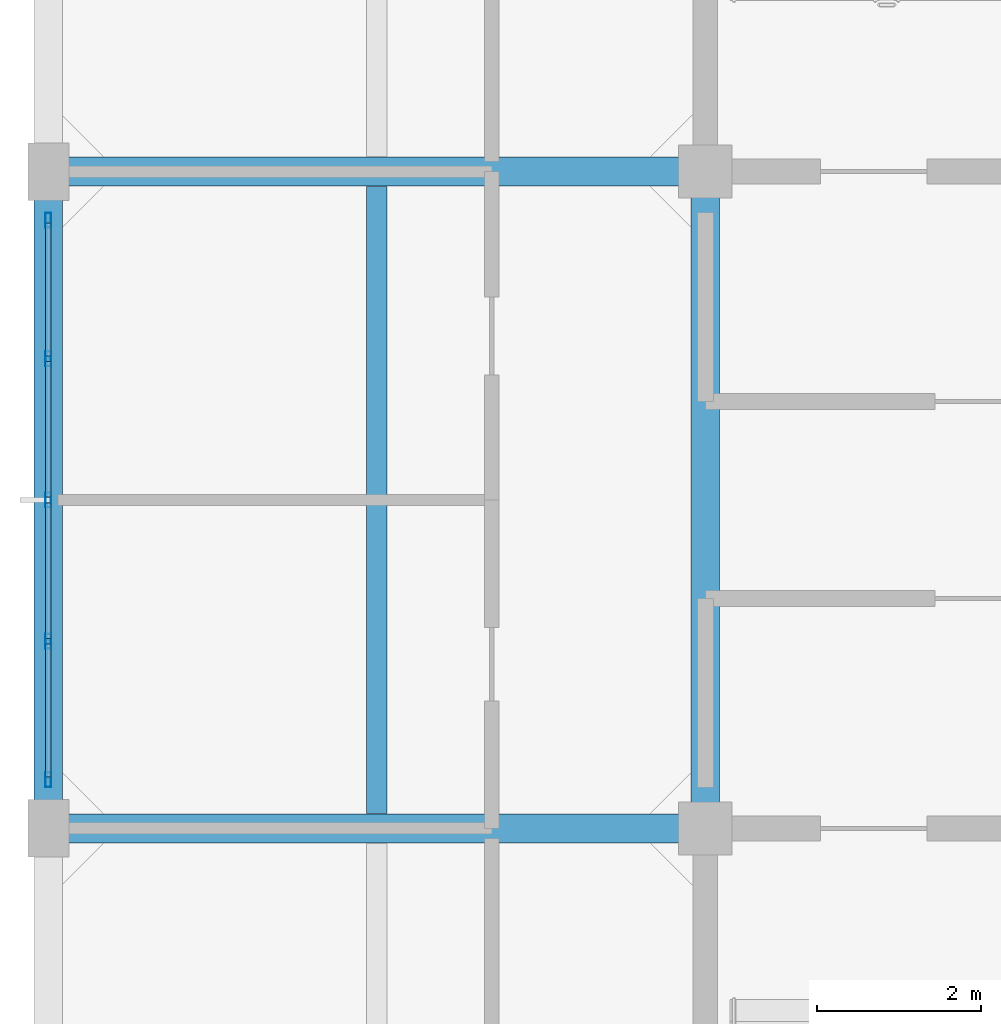
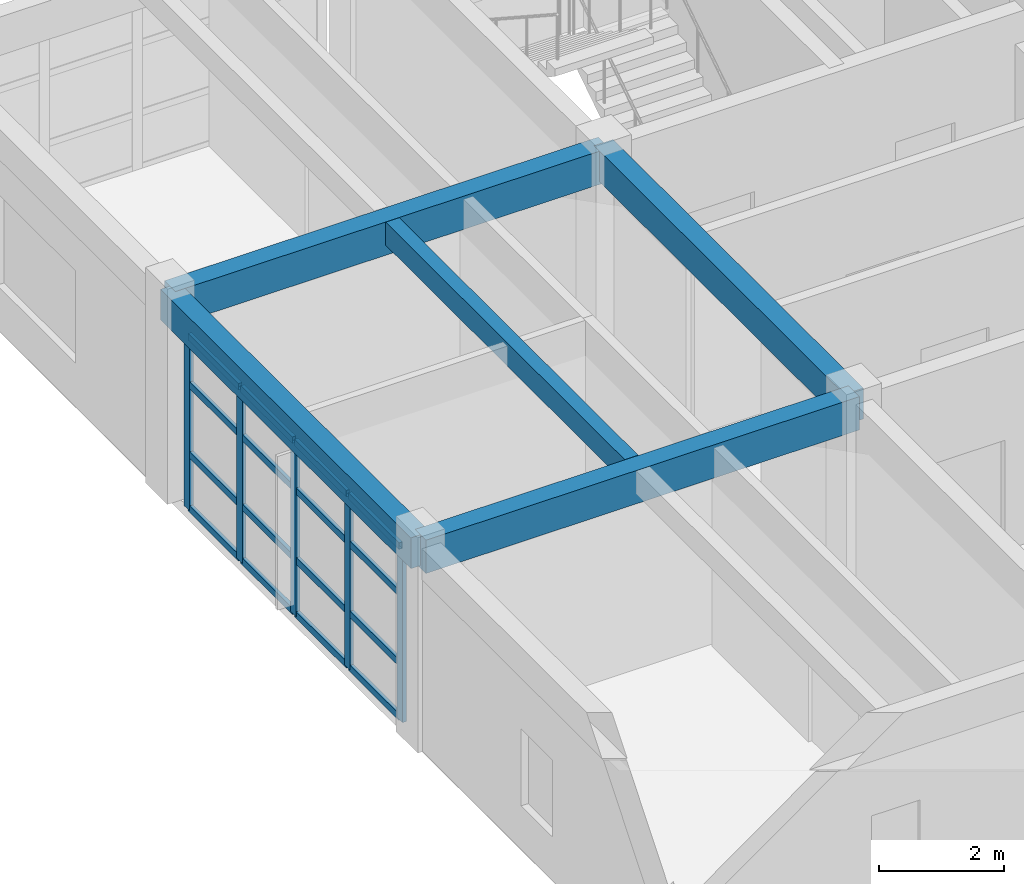
# One storey, part 7 of 18: 21 members, 5 beams, 1 element without a shape of its own.
"""IFC4 building model written with IfcOpenShell, lengths in metres."""

from ifc_helpers import new_model, si_unit, direction, frame, origin, origin_2d, place, context, subcontext, project, spatial, rectangle, hollow_rectangle, extrude, material, layer, layer_set, material_profile, profile_set, type_object, element, aggregate, save


model = new_model("IFC4")

# Units and contexts
model_context = context("Model", 3, precision=1e-05, world=origin(), true_north=direction((0.0, 1.0)))
body_context = subcontext(model_context, "Body", "Model", "MODEL_VIEW")
ifc_project = project(units=[si_unit("LENGTHUNIT", "METRE"), si_unit("AREAUNIT", "SQUARE_METRE"), si_unit("VOLUMEUNIT", "CUBIC_METRE"), si_unit("PLANEANGLEUNIT", "RADIAN"), si_unit("MASSUNIT", "GRAM", prefix="KILO")], contexts=[model_context])

# Site, building, storey
site_placement = place(None, origin())
site = spatial("IfcSite", under=ifc_project, at=site_placement, CompositionType="ELEMENT")
building_placement = place(site_placement, origin())
building = spatial("IfcBuilding", under=site, at=building_placement, Name="Canggui Botanical Conservatory", CompositionType="ELEMENT")
storey_placement = place(building_placement, frame((0.0, 0.0, 52.800048828125)))
storey = spatial("IfcBuildingStorey", under=building, at=storey_placement, Name="L13", CompositionType="ELEMENT", Elevation=52.800048828125)

# Beams
ifc_material_1 = material(Name="Concrete C35", Category="concrete")
ifc_material_profile_1 = material_profile(ifc_material_1, rectangle(XDim=0.25, YDim=0.449951171875, at=origin_2d()), Name="RB 250x450")
ifc_profile_set_1 = profile_set([ifc_material_profile_1], Name="Concrete C35")
beam_type_1 = type_object("IfcBeamType", Name="BM-JST05", PredefinedType="JOIST", material=ifc_profile_set_1)
beam_placement = place(storey_placement, frame((150.0, 50.179931640625, 3.73486328125), z_axis=(0.0, 1.0, 0.0), x_axis=(-1.0, 0.0, 0.0)))
element("IfcBeam", 1, at=beam_placement, inside=storey, type_object=beam_type_1, Name="Secondary Floor Joist L13-1-2", PredefinedType="JOIST", context=body_context, shape_type="SweptSolid", body=[
    extrude(rectangle(XDim=0.25, YDim=0.449951171875, at=origin_2d()), origin(), (0.0, 0.0, 1.0), 7.64013671875),
])
ifc_material_profile_2 = material_profile(ifc_material_1, rectangle(XDim=0.35009765625, YDim=0.64990234375, at=origin_2d()), Name="RB 350x650")
ifc_profile_set_2 = profile_set([ifc_material_profile_2], Name="Concrete C35")
beam_type_2 = type_object("IfcBeamType", Name="BM-KL18", PredefinedType="BEAM", material=ifc_profile_set_2)
for number, where, z_axis, x_axis, name in (
    (2, (146.0, 50.0, 3.635009765625), (1.0, 0.0, 0.0), (0.0, 1.0, 0.0), "Frame Girder L13 Y50-1"),
    (3, (146.0, 58.0, 3.635009765625), (1.0, 0.0, 0.0), (0.0, 1.0, 0.0), "Frame Girder L13 Y58-1"),
):
    element("IfcBeam", number, at=place(storey_placement, frame(where, z_axis=z_axis, x_axis=x_axis)), inside=storey, type_object=beam_type_2, Name=name, PredefinedType="BEAM", context=body_context, shape_type="SweptSolid", body=[
        extrude(rectangle(XDim=0.35009765625, YDim=0.64990234375, at=origin_2d()), origin(), (0.0, 0.0, 1.0), 8.0),
    ])
ifc_material_profile_3 = material_profile(ifc_material_1, rectangle(XDim=0.35009765625, YDim=0.60009765625, at=origin_2d()), Name="RB 350x600")
ifc_profile_set_3 = profile_set([ifc_material_profile_3], Name="Concrete C35")
beam_type_3 = type_object("IfcBeamType", Name="BM-KL19", PredefinedType="BEAM", material=ifc_profile_set_3)
for number, where, z_axis, x_axis, name in (
    (4, (146.0, 50.0, 3.659912109375), (0.0, 1.0, 0.0), (-1.0, 0.0, 0.0), "Frame Girder L13 X146-2"),
    (5, (154.0, 50.0, 3.659912109375), (0.0, 1.0, 0.0), (-1.0, 0.0, 0.0), "Frame Girder L13 X154-2"),
):
    element("IfcBeam", number, at=place(storey_placement, frame(where, z_axis=z_axis, x_axis=x_axis)), inside=storey, type_object=beam_type_3, Name=name, PredefinedType="BEAM", context=body_context, shape_type="SweptSolid", body=[
        extrude(rectangle(XDim=0.35009765625, YDim=0.60009765625, at=origin_2d()), origin(), (0.0, 0.0, 1.0), 8.0),
    ])

# Curtain wall, members
ifc_material_2 = material(Name="Thermally Broken Aluminium", Category="aluminium")
ifc_layer = layer(ifc_material_2, 0.179931640625, Name="Thermally Broken Aluminium", Category="aluminium")
ifc_layer_set = layer_set([ifc_layer], Name="Thermally Broken Aluminium")
curtain_wall_type = type_object("IfcCurtainWallType", Name="CW-UNIT-A", PredefinedType="USERDEFINED", material=ifc_layer_set)
curtain_wall_placement = place(storey_placement, origin())
curtain_wall = element("IfcCurtainWall", 6, at=curtain_wall_placement, inside=storey, type_object=curtain_wall_type, Name="Facade Curtain Wall CW-TWR-L13-07", ObjectType="UNITISED CURTAIN WALL", PredefinedType="USERDEFINED")
ifc_material_profile_4 = material_profile(ifc_material_2, hollow_rectangle(XDim=0.070068359375, YDim=0.179931640625, WallThickness=0.00390625, at=origin_2d()), Name="CWM 70x180x4")
ifc_profile_set_4 = profile_set([ifc_material_profile_4], Name="Thermally Broken Aluminium")
member_type_1 = type_object("IfcMemberType", Name="CWM-01", PredefinedType="MULLION", material=ifc_profile_set_4)
member_1_placement = place(storey_placement, frame((146.0, 50.594970703125, 0.0), z_axis=(0.0, 0.0, 1.0), x_axis=(-1.0, 0.0, 0.0)))
member_1 = element("IfcMember", 7, at=member_1_placement, type_object=member_type_1, Name="CW-01 mullion 1", PredefinedType="MULLION", context=body_context, shape_type="SweptSolid", body=[
    extrude(hollow_rectangle(XDim=0.070068359375, YDim=0.179931640625, WallThickness=0.00390625, at=origin_2d()), origin(), (0.0, 0.0, 1.0), 3.39990234375),
])
member_2_placement = place(storey_placement, frame((146.0, 52.280029296875, 0.0), z_axis=(0.0, 0.0, 1.0), x_axis=(-1.0, 0.0, 0.0)))
member_2 = element("IfcMember", 8, at=member_2_placement, type_object=member_type_1, Name="CW-01 mullion 2", PredefinedType="MULLION", context=body_context, shape_type="SweptSolid", body=[
    extrude(hollow_rectangle(XDim=0.070068359375, YDim=0.179931640625, WallThickness=0.00390625, at=origin_2d()), origin(), (0.0, 0.0, 1.0), 3.39990234375),
])
member_3_placement = place(storey_placement, frame((146.0, 54.0, 0.0), z_axis=(0.0, 0.0, 1.0), x_axis=(-1.0, 0.0, 0.0)))
member_3 = element("IfcMember", 9, at=member_3_placement, type_object=member_type_1, Name="CW-01 mullion 3", PredefinedType="MULLION", context=body_context, shape_type="SweptSolid", body=[
    extrude(hollow_rectangle(XDim=0.070068359375, YDim=0.179931640625, WallThickness=0.00390625, at=origin_2d()), origin(), (0.0, 0.0, 1.0), 3.39990234375),
])
member_4_placement = place(storey_placement, frame((146.0, 55.719970703125, 0.0), z_axis=(0.0, 0.0, 1.0), x_axis=(-1.0, 0.0, 0.0)))
member_4 = element("IfcMember", 10, at=member_4_placement, type_object=member_type_1, Name="CW-01 mullion 4", PredefinedType="MULLION", context=body_context, shape_type="SweptSolid", body=[
    extrude(hollow_rectangle(XDim=0.070068359375, YDim=0.179931640625, WallThickness=0.00390625, at=origin_2d()), origin(), (0.0, 0.0, 1.0), 3.39990234375),
])
member_5_placement = place(storey_placement, frame((146.0, 57.405029296875, 0.0), z_axis=(0.0, 0.0, 1.0), x_axis=(-1.0, 0.0, 0.0)))
member_5 = element("IfcMember", 11, at=member_5_placement, type_object=member_type_1, Name="CW-01 mullion 5", PredefinedType="MULLION", context=body_context, shape_type="SweptSolid", body=[
    extrude(hollow_rectangle(XDim=0.070068359375, YDim=0.179931640625, WallThickness=0.00390625, at=origin_2d()), origin(), (0.0, 0.0, 1.0), 3.39990234375),
])
ifc_material_profile_5 = material_profile(ifc_material_2, hollow_rectangle(XDim=0.06494140625, YDim=0.1298828125, WallThickness=0.00341796875, at=origin_2d()), Name="CWT 65x130x3.5")
ifc_profile_set_5 = profile_set([ifc_material_profile_5], Name="Thermally Broken Aluminium")
member_type_2 = type_object("IfcMemberType", Name="CWT-01", PredefinedType="USERDEFINED", material=ifc_profile_set_5)
member_6_placement = place(storey_placement, frame((146.0, 50.6298828125, 0.032470703125), z_axis=(0.0, 1.0, 0.0), x_axis=(-1.0, 0.0, 0.0)))
member_6 = element("IfcMember", 12, at=member_6_placement, type_object=member_type_2, Name="CW-01 transom 1.1", ObjectType="TRANSOM", PredefinedType="USERDEFINED", context=body_context, shape_type="SweptSolid", body=[
    extrude(hollow_rectangle(XDim=0.06494140625, YDim=0.1298828125, WallThickness=0.00341796875, at=origin_2d()), origin(), (0.0, 0.0, 1.0), 1.615234375),
])
member_7_placement = place(storey_placement, frame((146.0, 50.6298828125, 1.087890625), z_axis=(0.0, 1.0, 0.0), x_axis=(-1.0, 0.0, 0.0)))
member_7 = element("IfcMember", 13, at=member_7_placement, type_object=member_type_2, Name="CW-01 transom 1.2", ObjectType="TRANSOM", PredefinedType="USERDEFINED", context=body_context, shape_type="SweptSolid", body=[
    extrude(hollow_rectangle(XDim=0.06494140625, YDim=0.1298828125, WallThickness=0.00341796875, at=origin_2d()), origin(), (0.0, 0.0, 1.0), 1.615234375),
])
member_8_placement = place(storey_placement, frame((146.0, 50.6298828125, 2.447998046875), z_axis=(0.0, 1.0, 0.0), x_axis=(-1.0, 0.0, 0.0)))
member_8 = element("IfcMember", 14, at=member_8_placement, type_object=member_type_2, Name="CW-01 transom 1.3", ObjectType="TRANSOM", PredefinedType="USERDEFINED", context=body_context, shape_type="SweptSolid", body=[
    extrude(hollow_rectangle(XDim=0.06494140625, YDim=0.1298828125, WallThickness=0.00341796875, at=origin_2d()), origin(), (0.0, 0.0, 1.0), 1.615234375),
])
member_9_placement = place(storey_placement, frame((146.0, 50.6298828125, 3.367431640625), z_axis=(0.0, 1.0, 0.0), x_axis=(-1.0, 0.0, 0.0)))
member_9 = element("IfcMember", 15, at=member_9_placement, type_object=member_type_2, Name="CW-01 transom 1.4", ObjectType="TRANSOM", PredefinedType="USERDEFINED", context=body_context, shape_type="SweptSolid", body=[
    extrude(hollow_rectangle(XDim=0.06494140625, YDim=0.1298828125, WallThickness=0.00341796875, at=origin_2d()), origin(), (0.0, 0.0, 1.0), 1.615234375),
])
member_10_placement = place(storey_placement, frame((146.0, 52.31494140625, 0.032470703125), z_axis=(0.0, 1.0, 0.0), x_axis=(-1.0, 0.0, 0.0)))
member_10 = element("IfcMember", 16, at=member_10_placement, type_object=member_type_2, Name="CW-01 transom 2.1", ObjectType="TRANSOM", PredefinedType="USERDEFINED", context=body_context, shape_type="SweptSolid", body=[
    extrude(hollow_rectangle(XDim=0.06494140625, YDim=0.1298828125, WallThickness=0.00341796875, at=origin_2d()), origin(), (0.0, 0.0, 1.0), 1.650146484375),
])
member_11_placement = place(storey_placement, frame((146.0, 52.31494140625, 1.087890625), z_axis=(0.0, 1.0, 0.0), x_axis=(-1.0, 0.0, 0.0)))
member_11 = element("IfcMember", 17, at=member_11_placement, type_object=member_type_2, Name="CW-01 transom 2.2", ObjectType="TRANSOM", PredefinedType="USERDEFINED", context=body_context, shape_type="SweptSolid", body=[
    extrude(hollow_rectangle(XDim=0.06494140625, YDim=0.1298828125, WallThickness=0.00341796875, at=origin_2d()), origin(), (0.0, 0.0, 1.0), 1.650146484375),
])
member_12_placement = place(storey_placement, frame((146.0, 52.31494140625, 2.447998046875), z_axis=(0.0, 1.0, 0.0), x_axis=(-1.0, 0.0, 0.0)))
member_12 = element("IfcMember", 18, at=member_12_placement, type_object=member_type_2, Name="CW-01 transom 2.3", ObjectType="TRANSOM", PredefinedType="USERDEFINED", context=body_context, shape_type="SweptSolid", body=[
    extrude(hollow_rectangle(XDim=0.06494140625, YDim=0.1298828125, WallThickness=0.00341796875, at=origin_2d()), origin(), (0.0, 0.0, 1.0), 1.650146484375),
])
member_13_placement = place(storey_placement, frame((146.0, 52.31494140625, 3.367431640625), z_axis=(0.0, 1.0, 0.0), x_axis=(-1.0, 0.0, 0.0)))
member_13 = element("IfcMember", 19, at=member_13_placement, type_object=member_type_2, Name="CW-01 transom 2.4", ObjectType="TRANSOM", PredefinedType="USERDEFINED", context=body_context, shape_type="SweptSolid", body=[
    extrude(hollow_rectangle(XDim=0.06494140625, YDim=0.1298828125, WallThickness=0.00341796875, at=origin_2d()), origin(), (0.0, 0.0, 1.0), 1.650146484375),
])
member_14_placement = place(storey_placement, frame((146.0, 54.034912109375, 0.032470703125), z_axis=(0.0, 1.0, 0.0), x_axis=(-1.0, 0.0, 0.0)))
member_14 = element("IfcMember", 20, at=member_14_placement, type_object=member_type_2, Name="CW-01 transom 3.1", ObjectType="TRANSOM", PredefinedType="USERDEFINED", context=body_context, shape_type="SweptSolid", body=[
    extrude(hollow_rectangle(XDim=0.06494140625, YDim=0.1298828125, WallThickness=0.00341796875, at=origin_2d()), origin(), (0.0, 0.0, 1.0), 1.650146484375),
])
member_15_placement = place(storey_placement, frame((146.0, 54.034912109375, 1.087890625), z_axis=(0.0, 1.0, 0.0), x_axis=(-1.0, 0.0, 0.0)))
member_15 = element("IfcMember", 21, at=member_15_placement, type_object=member_type_2, Name="CW-01 transom 3.2", ObjectType="TRANSOM", PredefinedType="USERDEFINED", context=body_context, shape_type="SweptSolid", body=[
    extrude(hollow_rectangle(XDim=0.06494140625, YDim=0.1298828125, WallThickness=0.00341796875, at=origin_2d()), origin(), (0.0, 0.0, 1.0), 1.650146484375),
])
member_16_placement = place(storey_placement, frame((146.0, 54.034912109375, 2.447998046875), z_axis=(0.0, 1.0, 0.0), x_axis=(-1.0, 0.0, 0.0)))
member_16 = element("IfcMember", 22, at=member_16_placement, type_object=member_type_2, Name="CW-01 transom 3.3", ObjectType="TRANSOM", PredefinedType="USERDEFINED", context=body_context, shape_type="SweptSolid", body=[
    extrude(hollow_rectangle(XDim=0.06494140625, YDim=0.1298828125, WallThickness=0.00341796875, at=origin_2d()), origin(), (0.0, 0.0, 1.0), 1.650146484375),
])
member_17_placement = place(storey_placement, frame((146.0, 54.034912109375, 3.367431640625), z_axis=(0.0, 1.0, 0.0), x_axis=(-1.0, 0.0, 0.0)))
member_17 = element("IfcMember", 23, at=member_17_placement, type_object=member_type_2, Name="CW-01 transom 3.4", ObjectType="TRANSOM", PredefinedType="USERDEFINED", context=body_context, shape_type="SweptSolid", body=[
    extrude(hollow_rectangle(XDim=0.06494140625, YDim=0.1298828125, WallThickness=0.00341796875, at=origin_2d()), origin(), (0.0, 0.0, 1.0), 1.650146484375),
])
member_18_placement = place(storey_placement, frame((146.0, 55.7548828125, 0.032470703125), z_axis=(0.0, 1.0, 0.0), x_axis=(-1.0, 0.0, 0.0)))
member_18 = element("IfcMember", 24, at=member_18_placement, type_object=member_type_2, Name="CW-01 transom 4.1", ObjectType="TRANSOM", PredefinedType="USERDEFINED", context=body_context, shape_type="SweptSolid", body=[
    extrude(hollow_rectangle(XDim=0.06494140625, YDim=0.1298828125, WallThickness=0.00341796875, at=origin_2d()), origin(), (0.0, 0.0, 1.0), 1.615234375),
])
member_19_placement = place(storey_placement, frame((146.0, 55.7548828125, 1.087890625), z_axis=(0.0, 1.0, 0.0), x_axis=(-1.0, 0.0, 0.0)))
member_19 = element("IfcMember", 25, at=member_19_placement, type_object=member_type_2, Name="CW-01 transom 4.2", ObjectType="TRANSOM", PredefinedType="USERDEFINED", context=body_context, shape_type="SweptSolid", body=[
    extrude(hollow_rectangle(XDim=0.06494140625, YDim=0.1298828125, WallThickness=0.00341796875, at=origin_2d()), origin(), (0.0, 0.0, 1.0), 1.615234375),
])
member_20_placement = place(storey_placement, frame((146.0, 55.7548828125, 2.447998046875), z_axis=(0.0, 1.0, 0.0), x_axis=(-1.0, 0.0, 0.0)))
member_20 = element("IfcMember", 26, at=member_20_placement, type_object=member_type_2, Name="CW-01 transom 4.3", ObjectType="TRANSOM", PredefinedType="USERDEFINED", context=body_context, shape_type="SweptSolid", body=[
    extrude(hollow_rectangle(XDim=0.06494140625, YDim=0.1298828125, WallThickness=0.00341796875, at=origin_2d()), origin(), (0.0, 0.0, 1.0), 1.615234375),
])
member_21_placement = place(storey_placement, frame((146.0, 55.7548828125, 3.367431640625), z_axis=(0.0, 1.0, 0.0), x_axis=(-1.0, 0.0, 0.0)))
member_21 = element("IfcMember", 27, at=member_21_placement, type_object=member_type_2, Name="CW-01 transom 4.4", ObjectType="TRANSOM", PredefinedType="USERDEFINED", context=body_context, shape_type="SweptSolid", body=[
    extrude(hollow_rectangle(XDim=0.06494140625, YDim=0.1298828125, WallThickness=0.00341796875, at=origin_2d()), origin(), (0.0, 0.0, 1.0), 1.615234375),
])
aggregate(curtain_wall, [member_1, member_2, member_3, member_4, member_5, member_6, member_7, member_8, member_9, member_10, member_11, member_12, member_13, member_14, member_15, member_16, member_17, member_18, member_19, member_20, member_21])

save(model, "model.ifc")
